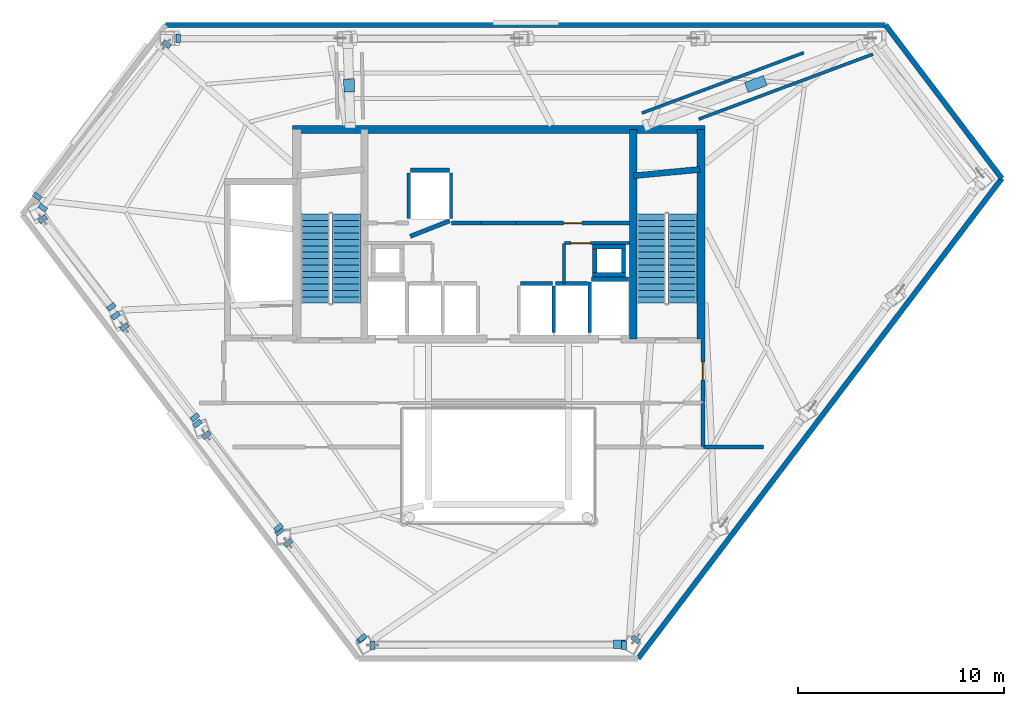
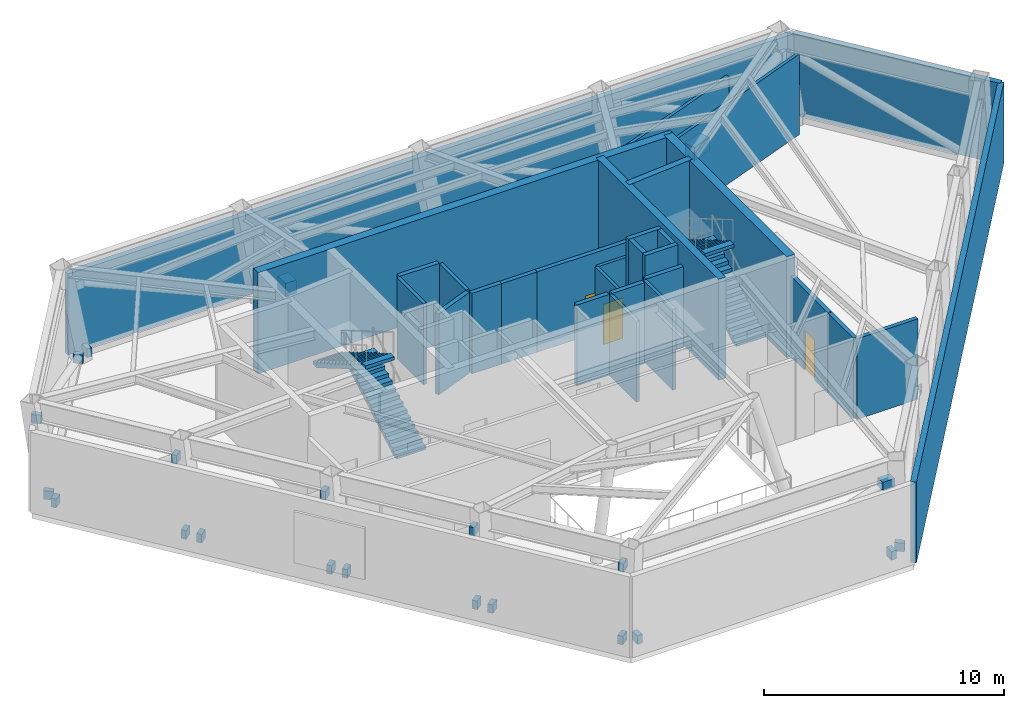
# One storey, part 6 of 10: 30 walls, 22 discrete accessories, 4 stair flights, 3 doors, 3 openings, 2 elements without a shape of their own.
"""IFC4 building model written with IfcOpenShell, lengths in metres."""

from ifc_helpers import new_model, si_unit, direction, frame, frame_2d, origin, origin_2d, place, context, subcontext, project, spatial, polyline, rectangle, outline, extrude, material, layer, layer_set, type_object, element, fill, aggregate, save


model = new_model("IFC4")

# Units and contexts
model_context = context("Model", 3, precision=1e-05, world=origin(), true_north=direction((0.0, 1.0)))
body_context = subcontext(model_context, "Body", "Model", "MODEL_VIEW")
ifc_project = project(units=[si_unit("LENGTHUNIT", "METRE"), si_unit("AREAUNIT", "SQUARE_METRE"), si_unit("VOLUMEUNIT", "CUBIC_METRE"), si_unit("PLANEANGLEUNIT", "RADIAN"), si_unit("MASSUNIT", "GRAM", prefix="KILO")], contexts=[model_context])

# Site, building, storey
site_placement = place(None, origin())
site = spatial("IfcSite", under=ifc_project, at=site_placement, CompositionType="ELEMENT")
building_placement = place(site_placement, origin())
building = spatial("IfcBuilding", under=site, at=building_placement, Name="Zarrinselat Tower", CompositionType="ELEMENT")
storey_placement = place(building_placement, frame((0.0, 0.0, 194.47998046875)))
storey = spatial("IfcBuildingStorey", under=building, at=storey_placement, Name="L48", CompositionType="ELEMENT", Elevation=194.47998046875)

# Walls
ifc_material_1 = material(Name="Honed Cream Travertine Stone", Category="masonry")
ifc_layer_1 = layer(ifc_material_1, 0.260009765625)
ifc_layer_set_1 = layer_set([ifc_layer_1], Name="Honed Cream Travertine Stone")
wall_type_1 = type_object("IfcWallType", Name="WAL-EXT-STONE-260", PredefinedType="STANDARD", material=ifc_layer_set_1)
wall_1_placement = place(storey_placement, frame((22.2275390625, 48.52783203125, 0.0), z_axis=(0.0, 0.0, 1.0), x_axis=(1.0, 0.0, 0.0)))
element("IfcWall", 1, at=wall_1_placement, inside=storey, type_object=wall_type_1, Name="L48 Mechanical Plant Travertine Perimeter Wall 1", PredefinedType="STANDARD", context=body_context, shape_type="SweptSolid", body=[
    extrude(rectangle(XDim=35.003173828125, YDim=0.260009765625, at=frame_2d((17.50146484375, 0.0))), origin(), (0.0, 0.0, 1.0), 4.116943359375),
])
wall_2_placement = place(storey_placement, frame((45.1962890625, 17.7158203125, 0.0), z_axis=(0.0, 0.0, 1.0), x_axis=(0.603860255485, 0.79709020308, 0.0)))
element("IfcWall", 2, at=wall_2_placement, inside=storey, type_object=wall_type_1, Name="L48 Mechanical Plant Travertine Perimeter Wall 5", PredefinedType="STANDARD", context=body_context, shape_type="SweptSolid", body=[
    extrude(rectangle(XDim=29.292236328125, YDim=0.260009765625, at=frame_2d((14.64599609375, 0.0))), origin(), (0.0, 0.0, 1.0), 4.116943359375),
])
wall_3_placement = place(storey_placement, frame((57.230712890625, 48.52783203125, 0.0), z_axis=(0.0, 0.0, 1.0), x_axis=(0.603856181949, -0.797093289096, 0.0)))
element("IfcWall", 3, at=wall_3_placement, inside=storey, type_object=wall_type_1, Name="L48 Mechanical Plant Travertine Perimeter Wall 6", PredefinedType="STANDARD", context=body_context, shape_type="SweptSolid", body=[
    extrude(rectangle(XDim=9.36328125, YDim=0.260009765625, at=frame_2d((4.681640625, 0.0))), origin(), (0.0, 0.0, 1.0), 4.116943359375),
])
ifc_material_2 = material(Name="Concrete C40/50", Category="concrete")
ifc_layer_2 = layer(ifc_material_2, 0.18994140625)
ifc_layer_set_2 = layer_set([ifc_layer_2], Name="Concrete C40/50")
wall_type_2 = type_object("IfcWallType", Name="WAL-PART-EI120", PredefinedType="PARTITIONING", material=ifc_layer_set_2)
wall_4_placement = place(storey_placement, frame((48.35009765625, 28.02001953125, 0.0), z_axis=(0.0, 0.0, 1.0), x_axis=(0.0, 1.0, 0.0)))
element("IfcWall", 4, at=wall_4_placement, inside=storey, type_object=wall_type_2, Name="L48 Partition Wall 15", PredefinedType="PARTITIONING", context=body_context, shape_type="SweptSolid", body=[
    extrude(rectangle(XDim=2.10986328125, YDim=0.18994140625, at=frame_2d((1.054931640625, 0.0))), origin(), (0.0, 0.0, 1.0), 4.096923828125),
])
wall_5_placement = place(storey_placement, frame((48.3701171875, 28.0, 0.0), z_axis=(0.0, 0.0, 1.0), x_axis=(1.0, 0.0, 0.0)))
element("IfcWall", 5, at=wall_5_placement, inside=storey, type_object=wall_type_2, Name="L48 Partition Wall 19", PredefinedType="PARTITIONING", context=body_context, shape_type="SweptSolid", body=[
    extrude(rectangle(XDim=2.923583984375, YDim=0.18994140625, at=frame_2d((1.4619140625, 0.0))), origin(), (0.0, 0.0, 1.0), 4.096923828125),
])

# Wall, opening, door
ifc_material_3 = material(Name="Fire-Rated Gypsum Board Partition", Category="gypsum")
ifc_layer_3 = layer(ifc_material_3, 0.14990234375)
ifc_layer_set_3 = layer_set([ifc_layer_3], Name="Fire-Rated Gypsum Board Partition")
wall_type_3 = type_object("IfcWallType", Name="WAL-PART-EI60", PredefinedType="PARTITIONING", material=ifc_layer_set_3)
wall_6_placement = place(storey_placement, frame((41.6201171875, 37.919921875, 0.0), z_axis=(0.0, 0.0, 1.0), x_axis=(1.0, 0.0, 0.0)))
wall_6 = element("IfcWall", 6, at=wall_6_placement, inside=storey, type_object=wall_type_3, Name="L48 Partition Wall 7", PredefinedType="PARTITIONING", context=body_context, shape_type="SweptSolid", body=[
    extrude(rectangle(XDim=3.164794921875, YDim=0.14990234375, at=frame_2d((1.58251953125, 0.0))), origin(), (0.0, 0.0, 1.0), 4.096923828125),
])
opening_1_placement = place(wall_6_placement, frame((0.3125, 0.0, 0.0)))
opening_1 = element("IfcOpeningElement", 7, at=opening_1_placement, cuts=wall_6, Name="Opening ID-04", PredefinedType="OPENING", context=body_context, shape_type="SweptSolid", body=[
    extrude(rectangle(XDim=0.93994140625, YDim=2.050048828125, at=frame_2d((0.469970703125, 1.02490234375))), frame((0.0, 0.0849609375, 0.0), z_axis=(0.0, -1.0, 0.0), x_axis=(1.0, 0.0, 0.0)), (0.0, 0.0, 1.0), 0.169921875),
])
ifc_material_4 = material(Name="Fire-Rated Gypsum Board Partition")
door_type_1 = type_object("IfcDoorType", Name="DR-INT-FD30-ENT", OperationType="NOTDEFINED", PredefinedType="DOOR", material=ifc_material_4)
door_1_placement = place(opening_1_placement, origin())
door_1 = element("IfcDoor", 8, at=door_1_placement, inside=storey, type_object=door_type_1, Name="L48 Interior Door P7", OperationType="SINGLE_SWING_LEFT", OverallHeight=2.050048828125, OverallWidth=0.93994140625, PredefinedType="DOOR", context=body_context, shape_type="SweptSolid", body=[
    extrude(rectangle(XDim=0.93994140625, YDim=2.050048828125, at=frame_2d((0.469970703125, 1.02490234375))), frame((0.0, 0.02490234375, 0.0), z_axis=(0.0, -1.0, 0.0), x_axis=(1.0, 0.0, 0.0)), (0.0, 0.0, 1.0), 0.050048828125),
])
fill(opening_1, door_1)

# Walls
wall_7_placement = place(storey_placement, frame((41.60009765625, 35.969970703125, 0.0), z_axis=(0.0, 0.0, 1.0), x_axis=(0.0, 1.0, 0.0)))
element("IfcWall", 9, at=wall_7_placement, inside=storey, type_object=wall_type_3, Name="L48 Partition Wall 8", PredefinedType="PARTITIONING", context=body_context, shape_type="SweptSolid", body=[
    extrude(rectangle(XDim=1.929931640625, YDim=0.14990234375, at=frame_2d((0.96484375, 0.0))), origin(), (0.0, 0.0, 1.0), 4.096923828125),
])
ifc_material_5 = material(Name="Concrete C40/50", Category="concrete")
ifc_layer_4 = layer(ifc_material_5, 0.199951171875)
ifc_layer_set_4 = layer_set([ifc_layer_4], Name="Concrete C40/50")
wall_type_4 = type_object("IfcWallType", Name="WAL-PART-PLANT", PredefinedType="PARTITIONING", material=ifc_layer_set_4)
wall_8_placement = place(storey_placement, frame((36.114990234375, 38.889892578125, 0.0), z_axis=(0.0, 0.0, 1.0), x_axis=(1.0, 0.0, 0.0)))
element("IfcWall", 10, at=wall_8_placement, inside=storey, type_object=wall_type_4, Name="L48 Partition Wall 4", PredefinedType="PARTITIONING", context=body_context, shape_type="SweptSolid", body=[
    extrude(rectangle(XDim=1.43505859375, YDim=0.199951171875, at=frame_2d((0.717529296875, 0.0))), origin(), (0.0, 0.0, 1.0), 4.096923828125),
])
wall_9_placement = place(storey_placement, frame((37.550048828125, 38.889892578125, 0.0), z_axis=(0.0, 0.0, 1.0), x_axis=(1.0, 0.0, 0.0)))
element("IfcWall", 11, at=wall_9_placement, inside=storey, type_object=wall_type_4, Name="L48 Partition Wall 5", PredefinedType="PARTITIONING", context=body_context, shape_type="SweptSolid", body=[
    extrude(rectangle(XDim=1.699951171875, YDim=0.199951171875, at=frame_2d((0.85009765625, 0.0))), origin(), (0.0, 0.0, 1.0), 4.096923828125),
])

# Wall, opening, door
wall_10_placement = place(storey_placement, frame((39.25, 38.889892578125, 0.0), z_axis=(0.0, 0.0, 1.0), x_axis=(1.0, 0.0, 0.0)))
wall_10 = element("IfcWall", 12, at=wall_10_placement, inside=storey, type_object=wall_type_4, Name="L48 Partition Wall 6", PredefinedType="PARTITIONING", context=body_context, shape_type="SweptSolid", body=[
    extrude(rectangle(XDim=5.534912109375, YDim=0.199951171875, at=frame_2d((2.767578125, 0.0))), origin(), (0.0, 0.0, 1.0), 4.096923828125),
])
opening_2_placement = place(wall_10_placement, frame((2.327392578125, 0.0, 0.0)))
opening_2 = element("IfcOpeningElement", 13, at=opening_2_placement, cuts=wall_10, Name="Opening ID-03", PredefinedType="OPENING", context=body_context, shape_type="SweptSolid", body=[
    extrude(rectangle(XDim=0.8798828125, YDim=2.050048828125, at=frame_2d((0.43994140625, 1.02490234375))), frame((0.0, 0.10986328125, 0.0), z_axis=(0.0, -1.0, 0.0), x_axis=(1.0, 0.0, 0.0)), (0.0, 0.0, 1.0), 0.219970703125),
])
ifc_material_6 = material(Name="Steel S355J2", Category="steel")
door_type_2 = type_object("IfcDoorType", Name="DR-INT-FD60-S", OperationType="NOTDEFINED", PredefinedType="DOOR", material=ifc_material_6)
door_2_placement = place(opening_2_placement, origin())
door_2 = element("IfcDoor", 14, at=door_2_placement, inside=storey, type_object=door_type_2, Name="L48 Interior Door P6", OperationType="SINGLE_SWING_RIGHT", OverallHeight=2.050048828125, OverallWidth=0.8798828125, PredefinedType="DOOR", context=body_context, shape_type="SweptSolid", body=[
    extrude(rectangle(XDim=0.8798828125, YDim=2.050048828125, at=frame_2d((0.43994140625, 1.02490234375))), frame((0.0, 0.02490234375, 0.0), z_axis=(0.0, -1.0, 0.0), x_axis=(1.0, 0.0, 0.0)), (0.0, 0.0, 1.0), 0.050048828125),
])
fill(opening_2, door_2)

wall_11_placement = place(storey_placement, frame((48.35009765625, 30.169921875, 0.0), z_axis=(0.0, 0.0, 1.0), x_axis=(0.0, 1.0, 0.0)))
wall_11 = element("IfcWall", 15, at=wall_11_placement, inside=storey, type_object=wall_type_4, Name="L48 Partition Wall 11", PredefinedType="PARTITIONING", context=body_context, shape_type="SweptSolid", body=[
    extrude(rectangle(XDim=3.06005859375, YDim=0.199951171875, at=frame_2d((1.530029296875, 0.0))), origin(), (0.0, 0.0, 1.0), 4.096923828125),
])
opening_3_placement = place(wall_11_placement, frame((1.090087890625, 0.0, 0.0)))
opening_3 = element("IfcOpeningElement", 16, at=opening_3_placement, cuts=wall_11, Name="Opening ID-03", PredefinedType="OPENING", context=body_context, shape_type="SweptSolid", body=[
    extrude(rectangle(XDim=0.8798828125, YDim=2.050048828125, at=frame_2d((0.43994140625, 1.02490234375))), frame((0.0, 0.10986328125, 0.0), z_axis=(0.0, -1.0, 0.0), x_axis=(1.0, 0.0, 0.0)), (0.0, 0.0, 1.0), 0.219970703125),
])
door_3_placement = place(opening_3_placement, origin())
door_3 = element("IfcDoor", 17, at=door_3_placement, inside=storey, type_object=door_type_2, Name="L48 Interior Door P11", OperationType="SINGLE_SWING_RIGHT", OverallHeight=2.050048828125, OverallWidth=0.8798828125, PredefinedType="DOOR", context=body_context, shape_type="SweptSolid", body=[
    extrude(rectangle(XDim=0.8798828125, YDim=2.050048828125, at=frame_2d((0.43994140625, 1.02490234375))), frame((0.0, 0.02490234375, 0.0), z_axis=(0.0, -1.0, 0.0), x_axis=(1.0, 0.0, 0.0)), (0.0, 0.0, 1.0), 0.050048828125),
])
fill(opening_3, door_3)

# Walls
ifc_material_7 = material(Name="Fire-Rated Gypsum Board Partition", Category="gypsum")
ifc_layer_5 = layer(ifc_material_7, 0.1201171875)
ifc_layer_set_5 = layer_set([ifc_layer_5], Name="Fire-Rated Gypsum Board Partition")
wall_type_5 = type_object("IfcWallType", Name="WAL-PART-STD", PredefinedType="PARTITIONING", material=ifc_layer_set_5)
wall_12_placement = place(storey_placement, frame((48.147216796875, 43.949951171875, 0.0), z_axis=(0.0, 0.0, 1.0), x_axis=(0.936993696189, 0.34934626562, 0.0)))
element("IfcWall", 18, at=wall_12_placement, inside=storey, type_object=wall_type_5, Name="L48 Outrigger Truss Zone 17 Fire Partition 1", PredefinedType="PARTITIONING", context=body_context, shape_type="SweptSolid", body=[
    extrude(rectangle(XDim=9.0361328125, YDim=0.14990234375, at=frame_2d((4.51806640625, 0.0))), origin(), (0.0, 0.0, 1.0), 4.096923828125),
])
wall_13_placement = place(storey_placement, frame((45.38330078125, 44.242919921875, 0.0), z_axis=(0.0, 0.0, 1.0), x_axis=(0.936995037394, 0.349342668307, 0.0)))
element("IfcWall", 19, at=wall_13_placement, inside=storey, type_object=wall_type_5, Name="L48 Outrigger Truss Zone 17 Fire Partition 2", PredefinedType="PARTITIONING", context=body_context, shape_type="SweptSolid", body=[
    extrude(rectangle(XDim=8.401611328125, YDim=0.14990234375, at=frame_2d((4.20068359375, 0.0))), origin(), (0.0, 0.0, 1.0), 4.096923828125),
])
ifc_material_8 = material(Name="Concrete C40/50", Category="concrete")
ifc_layer_6 = layer(ifc_material_8, 0.2099609375)
ifc_layer_set_6 = layer_set([ifc_layer_6], Name="Concrete C40/50")
wall_type_6 = type_object("IfcWallType", Name="WAL-SHAFT-210", PredefinedType="SOLIDWALL", material=ifc_layer_set_6)
wall_14_placement = place(storey_placement, frame((42.919921875, 36.155029296875, 0.0), z_axis=(0.0, 0.0, 1.0), x_axis=(1.0, 0.0, 0.0)))
element("IfcWall", 20, at=wall_14_placement, inside=storey, type_object=wall_type_6, Name="L48 Lift FFL2 North Shaft Wall", PredefinedType="SOLIDWALL", context=body_context, shape_type="SweptSolid", body=[
    extrude(rectangle(XDim=1.800048828125, YDim=0.2099609375, at=frame_2d((0.89990234375, 0.0))), origin(), (0.0, 0.0, 1.0), 4.112060546875),
])
wall_15_placement = place(storey_placement, frame((42.85009765625, 33.580078125, 0.0), z_axis=(0.0, 0.0, 1.0), x_axis=(0.0, 1.0, 0.0)))
element("IfcWall", 21, at=wall_15_placement, inside=storey, type_object=wall_type_6, Name="L48 Lift FFL2 W Shaft Wall", PredefinedType="SOLIDWALL", context=body_context, shape_type="SweptSolid", body=[
    extrude(rectangle(XDim=2.449951171875, YDim=0.159912109375, at=frame_2d((1.22509765625, 0.0))), origin(), (0.0, 0.0, 1.0), 4.112060546875),
])
wall_16_placement = place(storey_placement, frame((34.1201171875, 38.25, 0.0), z_axis=(0.0, 0.0, 1.0), x_axis=(0.930804993012, 0.36551616241, 0.0)))
element("IfcWall", 22, at=wall_16_placement, inside=storey, type_object=wall_type_6, Name="L48 Lift PL7 Front Shaft Wall", PredefinedType="SOLIDWALL", context=body_context, shape_type="SweptSolid", body=[
    extrude(rectangle(XDim=2.052001953125, YDim=0.2099609375, at=frame_2d((1.02587890625, 0.0))), origin(), (0.0, 0.0, 1.0), 4.112060546875),
])
wall_17_placement = place(storey_placement, frame((34.1201171875, 41.455078125, 0.0), z_axis=(0.0, 0.0, 1.0), x_axis=(1.0, 0.0, 0.0)))
element("IfcWall", 23, at=wall_17_placement, inside=storey, type_object=wall_type_6, Name="L48 Lift PL7 Rear Shaft Wall", PredefinedType="SOLIDWALL", context=body_context, shape_type="SweptSolid", body=[
    extrude(rectangle(XDim=1.909912109375, YDim=0.2099609375, at=frame_2d((0.955078125, 0.0))), origin(), (0.0, 0.0, 1.0), 4.112060546875),
])
for number, where, z_axis, x_axis, name in (
    (24, (34.050048828125, 39.1201171875, 0.0), (0.0, 0.0, 1.0), (0.0, 1.0, 0.0), "L48 Lift PL7 W Shaft Wall"),
    (25, (36.10009765625, 39.1201171875, 0.0), (0.0, 0.0, 1.0), (0.0, 1.0, 0.0), "L48 Lift PL7 E Shaft Wall"),
):
    element("IfcWall", number, at=place(storey_placement, frame(where, z_axis=z_axis, x_axis=x_axis)), inside=storey, type_object=wall_type_6, Name=name, PredefinedType="SOLIDWALL", context=body_context, shape_type="SweptSolid", body=[
        extrude(rectangle(XDim=2.2099609375, YDim=0.159912109375, at=frame_2d((1.10498046875, 0.0))), origin(), (0.0, 0.0, 1.0), 4.112060546875),
    ])
wall_18_placement = place(storey_placement, frame((39.469970703125, 35.955078125, 0.0), z_axis=(0.0, 0.0, 1.0), x_axis=(1.0, 0.0, 0.0)))
element("IfcWall", 26, at=wall_18_placement, inside=storey, type_object=wall_type_6, Name="L48 Lift PL8 North Shaft Wall", PredefinedType="SOLIDWALL", context=body_context, shape_type="SweptSolid", body=[
    extrude(rectangle(XDim=1.56005859375, YDim=0.2099609375, at=frame_2d((0.780029296875, 0.0))), origin(), (0.0, 0.0, 1.0), 4.112060546875),
])
wall_19_placement = place(storey_placement, frame((41.10009765625, 33.580078125, 0.0), z_axis=(0.0, 0.0, 1.0), x_axis=(0.0, 1.0, 0.0)))
element("IfcWall", 27, at=wall_19_placement, inside=storey, type_object=wall_type_6, Name="L48 Lift PL8 E Shaft Wall", PredefinedType="SOLIDWALL", context=body_context, shape_type="SweptSolid", body=[
    extrude(rectangle(XDim=2.25, YDim=0.159912109375, at=frame_2d((1.125, 0.0))), origin(), (0.0, 0.0, 1.0), 4.112060546875),
])
wall_20_placement = place(storey_placement, frame((41.169921875, 35.955078125, 0.0), z_axis=(0.0, 0.0, 1.0), x_axis=(1.0, 0.0, 0.0)))
element("IfcWall", 28, at=wall_20_placement, inside=storey, type_object=wall_type_6, Name="L48 Lift PL9 North Shaft Wall", PredefinedType="SOLIDWALL", context=body_context, shape_type="SweptSolid", body=[
    extrude(rectangle(XDim=1.56005859375, YDim=0.2099609375, at=frame_2d((0.780029296875, 0.0))), origin(), (0.0, 0.0, 1.0), 4.112060546875),
])
for number, where, z_axis, x_axis, name in (
    (29, (42.989990234375, 36.375, 0.0), (0.0, 0.0, 1.0), (1.0, 0.0, 0.0), "L48 Core Riser RSR-E S Shaft Wall"),
    (30, (42.989990234375, 37.7451171875, 0.0), (0.0, 0.0, 1.0), (1.0, 0.0, 0.0), "L48 Core Riser RSR-E N Shaft Wall"),
):
    element("IfcWall", number, at=place(storey_placement, frame(where, z_axis=z_axis, x_axis=x_axis)), inside=storey, type_object=wall_type_6, Name=name, PredefinedType="SOLIDWALL", context=body_context, shape_type="SweptSolid", body=[
        extrude(rectangle(XDim=1.60009765625, YDim=0.2099609375, at=frame_2d((0.800048828125, 0.0))), origin(), (0.0, 0.0, 1.0), 5.14013671875),
    ])
for number, where, z_axis, x_axis, name in (
    (31, (43.094970703125, 36.485107421875, 0.0), (0.0, 0.0, 1.0), (0.0, 1.0, 0.0), "L48 Core Riser RSR-E W Shaft Wall"),
    (32, (44.485107421875, 36.485107421875, 0.0), (0.0, 0.0, 1.0), (0.0, 1.0, 0.0), "L48 Core Riser RSR-E E Shaft Wall"),
):
    element("IfcWall", number, at=place(storey_placement, frame(where, z_axis=z_axis, x_axis=x_axis)), inside=storey, type_object=wall_type_6, Name=name, PredefinedType="SOLIDWALL", context=body_context, shape_type="SweptSolid", body=[
        extrude(rectangle(XDim=1.14990234375, YDim=0.2099609375, at=frame_2d((0.574951171875, 0.0))), origin(), (0.0, 0.0, 1.0), 5.14013671875),
    ])
ifc_material_9 = material(Name="Concrete C40/50", Category="concrete")
ifc_layer_7 = layer(ifc_material_9, 0.300048828125)
ifc_layer_set_7 = layer_set([ifc_layer_7], Name="Concrete C40/50")
wall_type_7 = type_object("IfcWallType", Name="WAL-SHEAR-300", PredefinedType="SHEAR", material=ifc_layer_set_7)
wall_21_placement = place(storey_placement, frame((44.97998046875, 41.199951171875, 0.0), z_axis=(0.0, 0.0, 1.0), x_axis=(0.995686468965, 0.09278176286, 0.0)))
element("IfcWall", 33, at=wall_21_placement, inside=storey, type_object=wall_type_7, Name="L48 Stair 2 North Shaft Wall", PredefinedType="SHEAR", context=body_context, shape_type="SweptSolid", body=[
    extrude(rectangle(XDim=3.23388671875, YDim=0.300048828125, at=frame_2d((1.616943359375, 0.0))), origin(), (0.0, 0.0, 1.0), 5.14013671875),
])
ifc_material_10 = material(Name="Concrete C50/60", Category="concrete")
ifc_layer_8 = layer(ifc_material_10, 0.35009765625)
ifc_layer_set_8 = layer_set([ifc_layer_8], Name="Concrete C50/60")
wall_type_8 = type_object("IfcWallType", Name="WAL-SHEAR-350", PredefinedType="SHEAR", material=ifc_layer_set_8)
wall_22_placement = place(storey_placement, frame((44.965087890625, 33.25, 0.0), z_axis=(0.0, 0.0, 1.0), x_axis=(0.0, 1.0, 0.0)))
element("IfcWall", 34, at=wall_22_placement, inside=storey, type_object=wall_type_8, Name="L48 Core Shear Wall ST2W", PredefinedType="SHEAR", context=body_context, shape_type="SweptSolid", body=[
    extrude(rectangle(XDim=10.199951171875, YDim=0.35009765625, at=frame_2d((5.10009765625, 0.0))), origin(), (0.0, 0.0, 1.0), 5.14013671875),
])
ifc_material_11 = material(Name="Concrete C60/75", Category="concrete")
ifc_layer_9 = layer(ifc_material_11, 0.39990234375)
ifc_layer_set_9 = layer_set([ifc_layer_9], Name="Concrete C60/75")
wall_type_9 = type_object("IfcWallType", Name="WAL-SHEAR-400", PredefinedType="SHEAR", material=ifc_layer_set_9)
wall_23_placement = place(storey_placement, frame((28.39990234375, 43.449951171875, 0.0), z_axis=(0.0, 0.0, 1.0), x_axis=(1.0, 0.0, 0.0)))
element("IfcWall", 35, at=wall_23_placement, inside=storey, type_object=wall_type_9, Name="L48 North Core Shear Wall", PredefinedType="SHEAR", context=body_context, shape_type="SweptSolid", body=[
    extrude(rectangle(XDim=20.06005859375, YDim=0.39990234375, at=frame_2d((10.030029296875, 0.0))), origin(), (0.0, 0.0, 1.0), 5.14013671875),
])
wall_24_placement = place(storey_placement, frame((48.260009765625, 33.25, 0.0), z_axis=(0.0, 0.0, 1.0), x_axis=(0.0, 1.0, 0.0)))
element("IfcWall", 36, at=wall_24_placement, inside=storey, type_object=wall_type_9, Name="L48 Core Shear Wall E", PredefinedType="SHEAR", context=body_context, shape_type="SweptSolid", body=[
    extrude(rectangle(XDim=10.199951171875, YDim=0.39990234375, at=frame_2d((5.10009765625, 0.0))), origin(), (0.0, 0.0, 1.0), 5.14013671875),
])

# Stair, stair flights
ifc_material_12 = material(Name="Concrete C40/50", Category="concrete")
stair_type = type_object("IfcStairType", Name="STR-CORE-155", PredefinedType="HALF_TURN_STAIR", material=ifc_material_12)
stair_1_placement = place(storey_placement, origin())
stair_1 = element("IfcStair", 37, at=stair_1_placement, inside=storey, type_object=stair_type, Name="L48 Core Exit Stair 1", PredefinedType="HALF_TURN_STAIR")
ifc_material_13 = material(Name="Concrete C40/50", Category="concrete")
stair_flight_type = type_object("IfcStairFlightType", Name="STR-FLT-155", PredefinedType="STRAIGHT", material=ifc_material_13)
stair_flight_1_placement = place(storey_placement, frame((31.02001953125, 35.0, 0.0), z_axis=(0.0, 0.0, 1.0), x_axis=(0.0, 1.0, 0.0)))
stair_flight_1 = element("IfcStairFlight", 38, at=stair_flight_1_placement, type_object=stair_flight_type, Name="ST-1 flight 1", NumberOfRisers=15, NumberOfTreads=14, PredefinedType="STRAIGHT", RiserHeight=0.181333333, TreadLength=0.31, context=body_context, shape_type="SweptSolid", body=[
    extrude(outline(polyline([(0.0, 0.0), (0.0, 0.181396484375), (0.31005859375, 0.181396484375), (0.31005859375, 0.362548828125), (0.6201171875, 0.362548828125), (0.6201171875, 0.5439453125), (0.929931640625, 0.5439453125), (0.929931640625, 0.725341796875), (1.239990234375, 0.725341796875), (1.239990234375, 0.90673828125), (1.550048828125, 0.90673828125), (1.550048828125, 1.087890625), (1.860107421875, 1.087890625), (1.860107421875, 1.269287109375), (2.169921875, 1.269287109375), (2.169921875, 1.45068359375), (2.47998046875, 1.45068359375), (2.47998046875, 1.632080078125), (2.7900390625, 1.632080078125), (2.7900390625, 1.813232421875), (3.10009765625, 1.813232421875), (3.10009765625, 1.99462890625), (3.409912109375, 1.99462890625), (3.409912109375, 2.176025390625), (3.719970703125, 2.176025390625), (3.719970703125, 2.357421875), (4.030029296875, 2.357421875), (4.030029296875, 2.53857421875), (4.340087890625, 2.53857421875), (4.340087890625, 2.719970703125), (4.340087890625, 2.364990234375), (0.296875, 0.0), (0.0, 0.0)])), frame((0.0, 0.699951171875, 0.0), z_axis=(0.0, -1.0, 0.0), x_axis=(1.0, 0.0, 0.0)), (0.0, 0.0, 1.0), 1.39990234375),
])
stair_flight_2_placement = place(storey_placement, frame((29.5, 39.340087890625, 2.719970703125), z_axis=(0.0, 0.0, 1.0), x_axis=(0.0, -1.0, 0.0)))
stair_flight_2 = element("IfcStairFlight", 39, at=stair_flight_2_placement, type_object=stair_flight_type, Name="ST-1 flight 2", NumberOfRisers=15, NumberOfTreads=14, PredefinedType="STRAIGHT", RiserHeight=0.181333333, TreadLength=0.31, context=body_context, shape_type="SweptSolid", body=[
    extrude(outline(polyline([(0.0, 0.0), (0.0, 0.181396484375), (0.31005859375, 0.181396484375), (0.31005859375, 0.362548828125), (0.6201171875, 0.362548828125), (0.6201171875, 0.5439453125), (0.929931640625, 0.5439453125), (0.929931640625, 0.725341796875), (1.239990234375, 0.725341796875), (1.239990234375, 0.90673828125), (1.550048828125, 0.90673828125), (1.550048828125, 1.087890625), (1.860107421875, 1.087890625), (1.860107421875, 1.269287109375), (2.169921875, 1.269287109375), (2.169921875, 1.45068359375), (2.47998046875, 1.45068359375), (2.47998046875, 1.632080078125), (2.7900390625, 1.632080078125), (2.7900390625, 1.813232421875), (3.10009765625, 1.813232421875), (3.10009765625, 1.99462890625), (3.409912109375, 1.99462890625), (3.409912109375, 2.176025390625), (3.719970703125, 2.176025390625), (3.719970703125, 2.357421875), (4.030029296875, 2.357421875), (4.030029296875, 2.53857421875), (4.340087890625, 2.53857421875), (4.340087890625, 2.719970703125), (4.340087890625, 2.364990234375), (0.296875, 0.0), (0.0, 0.0)])), frame((0.0, 0.699951171875, 0.0), z_axis=(0.0, -1.0, 0.0), x_axis=(1.0, 0.0, 0.0)), (0.0, 0.0, 1.0), 1.39990234375),
])
aggregate(stair_1, [stair_flight_1, stair_flight_2])

stair_2_placement = place(storey_placement, origin())
stair_2 = element("IfcStair", 40, at=stair_2_placement, inside=storey, type_object=stair_type, Name="L48 Core Exit Stair 2", PredefinedType="HALF_TURN_STAIR")
stair_flight_3_placement = place(storey_placement, frame((47.360107421875, 35.0, 0.0), z_axis=(0.0, 0.0, 1.0), x_axis=(0.0, 1.0, 0.0)))
stair_flight_3 = element("IfcStairFlight", 41, at=stair_flight_3_placement, type_object=stair_flight_type, Name="ST-2 flight 1", NumberOfRisers=15, NumberOfTreads=14, PredefinedType="STRAIGHT", RiserHeight=0.181333333, TreadLength=0.31, context=body_context, shape_type="SweptSolid", body=[
    extrude(outline(polyline([(0.0, 0.0), (0.0, 0.181396484375), (0.31005859375, 0.181396484375), (0.31005859375, 0.362548828125), (0.6201171875, 0.362548828125), (0.6201171875, 0.5439453125), (0.929931640625, 0.5439453125), (0.929931640625, 0.725341796875), (1.239990234375, 0.725341796875), (1.239990234375, 0.90673828125), (1.550048828125, 0.90673828125), (1.550048828125, 1.087890625), (1.860107421875, 1.087890625), (1.860107421875, 1.269287109375), (2.169921875, 1.269287109375), (2.169921875, 1.45068359375), (2.47998046875, 1.45068359375), (2.47998046875, 1.632080078125), (2.7900390625, 1.632080078125), (2.7900390625, 1.813232421875), (3.10009765625, 1.813232421875), (3.10009765625, 1.99462890625), (3.409912109375, 1.99462890625), (3.409912109375, 2.176025390625), (3.719970703125, 2.176025390625), (3.719970703125, 2.357421875), (4.030029296875, 2.357421875), (4.030029296875, 2.53857421875), (4.340087890625, 2.53857421875), (4.340087890625, 2.719970703125), (4.340087890625, 2.364990234375), (0.296875, 0.0), (0.0, 0.0)])), frame((0.0, 0.699951171875, 0.0), z_axis=(0.0, -1.0, 0.0), x_axis=(1.0, 0.0, 0.0)), (0.0, 0.0, 1.0), 1.39990234375),
])
stair_flight_4_placement = place(storey_placement, frame((45.840087890625, 39.340087890625, 2.719970703125), z_axis=(0.0, 0.0, 1.0), x_axis=(0.0, -1.0, 0.0)))
stair_flight_4 = element("IfcStairFlight", 42, at=stair_flight_4_placement, type_object=stair_flight_type, Name="ST-2 flight 2", NumberOfRisers=15, NumberOfTreads=14, PredefinedType="STRAIGHT", RiserHeight=0.181333333, TreadLength=0.31, context=body_context, shape_type="SweptSolid", body=[
    extrude(outline(polyline([(0.0, 0.0), (0.0, 0.181396484375), (0.31005859375, 0.181396484375), (0.31005859375, 0.362548828125), (0.6201171875, 0.362548828125), (0.6201171875, 0.5439453125), (0.929931640625, 0.5439453125), (0.929931640625, 0.725341796875), (1.239990234375, 0.725341796875), (1.239990234375, 0.90673828125), (1.550048828125, 0.90673828125), (1.550048828125, 1.087890625), (1.860107421875, 1.087890625), (1.860107421875, 1.269287109375), (2.169921875, 1.269287109375), (2.169921875, 1.45068359375), (2.47998046875, 1.45068359375), (2.47998046875, 1.632080078125), (2.7900390625, 1.632080078125), (2.7900390625, 1.813232421875), (3.10009765625, 1.813232421875), (3.10009765625, 1.99462890625), (3.409912109375, 1.99462890625), (3.409912109375, 2.176025390625), (3.719970703125, 2.176025390625), (3.719970703125, 2.357421875), (4.030029296875, 2.357421875), (4.030029296875, 2.53857421875), (4.340087890625, 2.53857421875), (4.340087890625, 2.719970703125), (4.340087890625, 2.364990234375), (0.296875, 0.0), (0.0, 0.0)])), frame((0.0, 0.699951171875, 0.0), z_axis=(0.0, -1.0, 0.0), x_axis=(1.0, 0.0, 0.0)), (0.0, 0.0, 1.0), 1.39990234375),
])
aggregate(stair_2, [stair_flight_3, stair_flight_4])

# Discrete accessories
ifc_material_14 = material(Name="Steel S460M", Category="steel")
discrete_accessory_type_1 = type_object("IfcDiscreteAccessoryType", Name="ACC-BRACE-END", PredefinedType="BRACKET", material=ifc_material_14)
for number, where, z_axis, x_axis, name in (
    (43, (22.834716796875, 47.875244140625, 0.130126953125), (0.0, 0.0, 1.0), (-1.0, 0.0, 0.0), "L48 Belt Truss 4 End Gusset Bracket EB"),
    (44, (22.27001953125, 47.5947265625, 0.130126953125), (0.0, 0.0, 1.0), (-0.603854284712, -0.797094726388, 0.0), "L48 Belt Truss 5 End Gusset Bracket EA"),
    (45, (16.2451171875, 39.6416015625, 0.130126953125), (0.0, 0.0, 1.0), (-0.603854284712, -0.797094726388, 0.0), "L48 Belt Truss 5 End Gusset Bracket EB"),
    (46, (15.978271484375, 40.1923828125, 3.761962890625), (0.0, 0.0, 1.0), (-0.603854284712, -0.797094726388, 0.0), "L48 Belt Truss 5 End Gusset Bracket ET"),
    (47, (16.2451171875, 39.08056640625, 0.130126953125), (0.0, 0.0, 1.0), (0.603853584691, -0.797095256701, 0.0), "L48 Belt Truss 6 End Gusset Bracket EA"),
    (48, (19.79541015625, 34.393798828125, 0.130126953125), (0.0, 0.0, 1.0), (0.603853584691, -0.797095256701, 0.0), "L48 Belt Truss 6 End Gusset Bracket EB"),
    (49, (19.5859375, 34.823974609375, 3.761962890625), (0.0, 0.0, 1.0), (0.603853584691, -0.797095256701, 0.0), "L48 Belt Truss 6 End Gusset Bracket ET"),
    (50, (20.220703125, 33.832763671875, 0.130126953125), (0.0, 0.0, 1.0), (0.603853584691, -0.797095256701, 0.0), "L48 Belt Truss 7 End Gusset Bracket EA"),
    (51, (23.77099609375, 29.14599609375, 0.130126953125), (0.0, 0.0, 1.0), (0.603853584691, -0.797095256701, 0.0), "L48 Belt Truss 7 End Gusset Bracket EB"),
    (52, (23.653076171875, 29.45556640625, 3.761962890625), (0.0, 0.0, 1.0), (0.603853584691, -0.797095256701, 0.0), "L48 Belt Truss 7 End Gusset Bracket ET"),
    (53, (24.196044921875, 28.5849609375, 0.130126953125), (0.0, 0.0, 1.0), (0.603863256698, -0.797087929409, 0.0), "L48 Belt Truss 8 End Gusset Bracket EA"),
    (54, (27.74658203125, 23.8984375, 0.130126953125), (0.0, 0.0, 1.0), (0.603863256698, -0.797087929409, 0.0), "L48 Belt Truss 8 End Gusset Bracket EB"),
    (55, (27.719970703125, 24.08740234375, 3.761962890625), (0.0, 0.0, 1.0), (0.603863256698, -0.797087929409, 0.0), "L48 Belt Truss 8 End Gusset Bracket ET"),
    (56, (28.171630859375, 23.33740234375, 0.130126953125), (0.0, 0.0, 1.0), (0.603853584691, -0.797095256701, 0.0), "L48 Belt Truss 9 End Gusset Bracket EA"),
    (57, (31.721923828125, 18.650634765625, 0.130126953125), (0.0, 0.0, 1.0), (0.603853584691, -0.797095256701, 0.0), "L48 Belt Truss 9 End Gusset Bracket EB"),
    (58, (31.786865234375, 18.718994140625, 3.761962890625), (0.0, 0.0, 1.0), (0.603853584691, -0.797095256701, 0.0), "L48 Belt Truss 9 End Gusset Bracket ET"),
    (59, (32.28662109375, 18.3701171875, 0.130126953125), (0.0, 0.0, 1.0), (1.0, 0.0, 0.0), "L48 Belt Truss 10 End Gusset Bracket EA"),
    (60, (44.513427734375, 18.3701171875, 0.130126953125), (0.0, 0.0, 1.0), (1.0, 0.0, 0.0), "L48 Belt Truss 10 End Gusset Bracket EB"),
):
    element("IfcDiscreteAccessory", number, at=place(storey_placement, frame(where, z_axis=z_axis, x_axis=x_axis)), inside=storey, type_object=discrete_accessory_type_1, Name=name, PredefinedType="BRACKET", context=body_context, shape_type="SweptSolid", body=[
        extrude(rectangle(XDim=0.239990234375, YDim=0.419921875, at=origin_2d()), origin(), (0.0, 0.0, 1.0), 0.43994140625),
    ])
discrete_accessory_1_placement = place(storey_placement, frame((44.293701171875, 18.416015625, 3.761962890625), z_axis=(0.0, 0.0, 1.0), x_axis=(1.0, 0.0, 0.0)))
element("IfcDiscreteAccessory", 61, at=discrete_accessory_1_placement, inside=storey, type_object=discrete_accessory_type_1, Name="L48 Belt Truss 10 End Gusset Bracket ET", PredefinedType="BRACKET", context=body_context, shape_type="SweptSolid", body=[
    extrude(rectangle(XDim=0.580078125, YDim=0.419921875, at=origin_2d()), origin(), (0.0, 0.0, 1.0), 0.43994140625),
])
discrete_accessory_2_placement = place(storey_placement, frame((45.077880859375, 18.650634765625, 0.130126953125), z_axis=(0.0, 0.0, 1.0), x_axis=(0.603856335801, 0.797093172542, 0.0)))
element("IfcDiscreteAccessory", 62, at=discrete_accessory_2_placement, inside=storey, type_object=discrete_accessory_type_1, Name="L48 Belt Truss 11 End Gusset Bracket EA", PredefinedType="BRACKET", context=body_context, shape_type="SweptSolid", body=[
    extrude(rectangle(XDim=0.239990234375, YDim=0.419921875, at=origin_2d()), origin(), (0.0, 0.0, 1.0), 0.43994140625),
])
ifc_material_15 = material(Name="Steel S460M", Category="steel")
discrete_accessory_type_2 = type_object("IfcDiscreteAccessoryType", Name="ACC-XBRACE-NODE", PredefinedType="BRACKET", material=ifc_material_15)
discrete_accessory_3_placement = place(storey_placement, frame((31.142822265625, 45.585693359375, 1.82763671875), z_axis=(0.0, 0.0, 1.0), x_axis=(-0.029712803492, 0.999558477183, 0.0)))
element("IfcDiscreteAccessory", 63, at=discrete_accessory_3_placement, inside=storey, type_object=discrete_accessory_type_2, Name="L48 Outrigger NW X-Brace Central Gusset Node", PredefinedType="BRACKET", context=body_context, shape_type="SweptSolid", body=[
    extrude(rectangle(XDim=0.645751953125, YDim=0.52001953125, at=origin_2d()), origin(), (0.0, 0.0, 1.0), 0.679931640625),
])
discrete_accessory_4_placement = place(storey_placement, frame((50.92236328125, 45.655029296875, 1.87060546875), z_axis=(0.0, 0.0, 1.0), x_axis=(0.936493965051, 0.350683694265, 0.0)))
element("IfcDiscreteAccessory", 64, at=discrete_accessory_4_placement, inside=storey, type_object=discrete_accessory_type_2, Name="L48 Outrigger NE X-Brace Central Gusset Node", PredefinedType="BRACKET", context=body_context, shape_type="SweptSolid", body=[
    extrude(rectangle(XDim=0.976318359375, YDim=0.52001953125, at=origin_2d()), origin(), (0.0, 0.0, 1.0), 0.679931640625),
])

save(model, "model.ifc")
